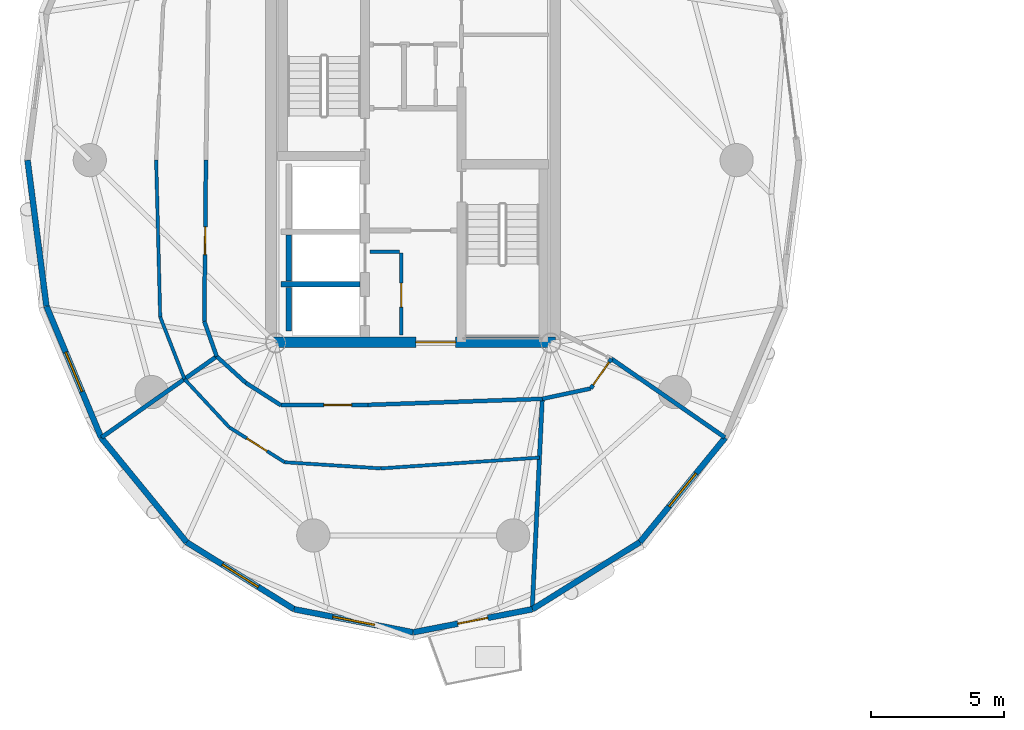
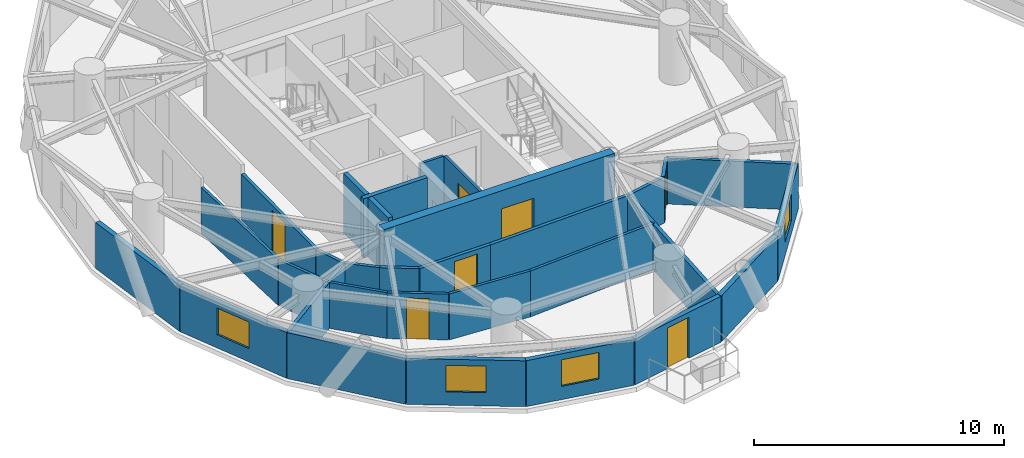
# One storey, part 8 of 17: 31 walls, 7 doors, 4 windows, 11 openings.
"""IFC4 building model written with IfcOpenShell, lengths in metres."""

from ifc_helpers import new_model, si_unit, direction, frame, frame_2d, origin, place, context, subcontext, project, spatial, rectangle, extrude, source, transform, mapped, material, layer, layer_set, type_object, element, fill, save


model = new_model("IFC4")

# Units and contexts
model_context = context("Model", 3, precision=1e-05, world=origin(), true_north=direction((0.0, 1.0)))
body_context = subcontext(model_context, "Body", "Model", "MODEL_VIEW")
ifc_project = project(units=[si_unit("LENGTHUNIT", "METRE"), si_unit("AREAUNIT", "SQUARE_METRE"), si_unit("VOLUMEUNIT", "CUBIC_METRE"), si_unit("PLANEANGLEUNIT", "RADIAN"), si_unit("MASSUNIT", "GRAM", prefix="KILO")], contexts=[model_context])

# Site, building, storey
site_placement = place(None, origin())
site = spatial("IfcSite", under=ifc_project, at=site_placement, CompositionType="ELEMENT")
building_placement = place(site_placement, origin())
building = spatial("IfcBuilding", under=site, at=building_placement, Name="Cununo Teusaquillo Station Towers", CompositionType="ELEMENT")
storey_placement = place(building_placement, frame((0.0, 0.0, 163.239990234375)))
storey = spatial("IfcBuildingStorey", under=building, at=storey_placement, Name="L51", CompositionType="ELEMENT", Elevation=163.239990234375)

# Walls
ifc_material_1 = material(Name="Concrete C50/60", Category="concrete")
ifc_layer_1 = layer(ifc_material_1, 0.199951171875)
ifc_layer_set_1 = layer_set([ifc_layer_1], Name="Concrete C50/60")
wall_type_1 = type_object("IfcWallType", Name="WL-CORE-200", PredefinedType="SHEAR", material=ifc_layer_set_1)
wall_1_placement = place(storey_placement, frame((11.52001953125, 19.824951171875, 0.0), z_axis=(0.0, 0.0, 1.0), x_axis=(1.0, 0.0, 0.0)))
element("IfcWall", 1, at=wall_1_placement, inside=storey, type_object=wall_type_1, Name="L51 Tower A High-Rise Lift Hoistway Divider Shear Wall", PredefinedType="SHEAR", context=body_context, shape_type="SweptSolid", body=[
    extrude(rectangle(XDim=2.969970703125, YDim=0.199951171875, at=frame_2d((1.48486328125, 0.0))), origin(), (0.0, 0.0, 1.0), 2.909912109375),
])
wall_2_placement = place(storey_placement, frame((11.820068359375, 19.945068359375, 0.0), z_axis=(0.0, 0.0, 1.0), x_axis=(0.0, 1.0, 0.0)))
element("IfcWall", 2, at=wall_2_placement, inside=storey, type_object=wall_type_1, Name="L51 Tower A High-Rise Lift 2 Shaft Rear Shear Wall", PredefinedType="SHEAR", context=body_context, shape_type="SweptSolid", body=[
    extrude(rectangle(XDim=1.73486328125, YDim=0.199951171875, at=frame_2d((0.867431640625, 0.0))), origin(), (0.0, 0.0, 1.0), 2.909912109375),
])
wall_3_placement = place(storey_placement, frame((11.820068359375, 18.070068359375, 0.0), z_axis=(0.0, 0.0, 1.0), x_axis=(0.0, 1.0, 0.0)))
element("IfcWall", 3, at=wall_3_placement, inside=storey, type_object=wall_type_1, Name="L51 Tower A High-Rise Lift 1 Shaft Rear Shear Wall", PredefinedType="SHEAR", context=body_context, shape_type="SweptSolid", body=[
    extrude(rectangle(XDim=1.635009765625, YDim=0.199951171875, at=frame_2d((0.8173828125, 0.0))), origin(), (0.0, 0.0, 1.0), 2.909912109375),
])

# Wall, opening, door
ifc_material_2 = material(Name="Concrete C50/60", Category="concrete")
ifc_layer_2 = layer(ifc_material_2, 0.39990234375)
ifc_layer_set_2 = layer_set([ifc_layer_2], Name="Concrete C50/60")
wall_type_2 = type_object("IfcWallType", Name="WL-CORE-400", PredefinedType="SHEAR", material=ifc_layer_set_2)
wall_4_placement = place(storey_placement, frame((11.14990234375, 17.64990234375, 0.0), z_axis=(0.0, 0.0, 1.0), x_axis=(1.0, 0.0, 0.0)))
wall_4 = element("IfcWall", 4, at=wall_4_placement, inside=storey, type_object=wall_type_2, Name="L51 Tower A Core Shear Wall S", PredefinedType="SHEAR", context=body_context, shape_type="SweptSolid", body=[
    extrude(rectangle(XDim=10.7001953125, YDim=0.39990234375, at=frame_2d((5.35009765625, 0.0))), origin(), (0.0, 0.0, 1.0), 2.909912109375),
])
shared_shape_1 = source(origin(), body_context, "Body", "SweptSolid", [
    extrude(rectangle(XDim=1.5, YDim=2.02001953125, at=frame_2d((0.75, 1.010009765625))), frame((0.0, 0.2099609375, 0.0), z_axis=(0.0, -1.0, 0.0), x_axis=(1.0, 0.0, 0.0)), (0.0, 0.0, 1.0), 0.419921875),
])
opening_1_placement = place(wall_4_placement, frame((5.449951171875, 0.0, 0.0)))
opening_1 = element("IfcOpeningElement", 5, at=opening_1_placement, cuts=wall_4, Name="Opening D-LB1", PredefinedType="OPENING", context=body_context, shape_type="MappedRepresentation", body=[
    mapped(shared_shape_1, transform((0.0, 0.0, 0.0), x_axis=(1.0, 0.0, 0.0), y_axis=(0.0, 1.0, 0.0), z_axis=(0.0, 0.0, 1.0), scale=1.0)),
])
ifc_material_3 = material(Name="Galvanised fire-rated hollow steel door assembly", Category="steel")
door_type_1 = type_object("IfcDoorType", Name="DR-LOBBY-1500", OperationType="DOUBLE_DOOR_SINGLE_SWING", PredefinedType="DOOR", material=ifc_material_3)
shared_shape_2 = source(origin(), body_context, "Body", "SweptSolid", [
    extrude(rectangle(XDim=1.5, YDim=2.02001953125, at=frame_2d((0.75, 1.010009765625))), frame((0.0, 0.02490234375, 0.0), z_axis=(0.0, -1.0, 0.0), x_axis=(1.0, 0.0, 0.0)), (0.0, 0.0, 1.0), 0.050048828125),
])
door_1_placement = place(opening_1_placement, origin())
door_1 = element("IfcDoor", 6, at=door_1_placement, inside=storey, type_object=door_type_1, Name="L51 Tower A South Core Lift Lobby Door", OperationType="DOUBLE_DOOR_SINGLE_SWING", OverallHeight=2.02001953125, OverallWidth=1.5, PredefinedType="DOOR", context=body_context, shape_type="MappedRepresentation", body=[
    mapped(shared_shape_2, transform((0.0, 0.0, 0.0), x_axis=(1.0, 0.0, 0.0), y_axis=(0.0, 1.0, 0.0), z_axis=(0.0, 0.0, 1.0), scale=1.0)),
])
fill(opening_1, door_1)

# Wall
ifc_material_4 = material(Name="Precast concrete C40/50", Category="concrete")
ifc_layer_3 = layer(ifc_material_4, 0.219970703125)
ifc_layer_set_3 = layer_set([ifc_layer_3], Name="Precast concrete C40/50")
wall_type_3 = type_object("IfcWallType", Name="WL-EXT-220", PredefinedType="SOLIDWALL", material=ifc_layer_set_3)
wall_5_placement = place(storey_placement, frame((2.6953125, 19.0087890625, 0.0), z_axis=(0.0, 0.0, 1.0), x_axis=(-0.128266533912, 0.991739732126, 0.0)))
element("IfcWall", 7, at=wall_5_placement, inside=storey, type_object=wall_type_3, Name="L51 Tower A Exterior Facade Wall C10", PredefinedType="SOLIDWALL", context=body_context, shape_type="SweptSolid", body=[
    extrude(rectangle(XDim=5.536865234375, YDim=0.219970703125, at=frame_2d((2.7685546875, 0.0))), origin(), (0.0, 0.0, 1.0), 2.2451171875),
])

# Wall, opening, window
wall_6_placement = place(storey_placement, frame((4.757080078125, 14.05517578125, 0.0), z_axis=(0.0, 0.0, 1.0), x_axis=(-0.384259959969, 0.923224936386, 0.0)))
wall_6 = element("IfcWall", 8, at=wall_6_placement, inside=storey, type_object=wall_type_3, Name="L51 Tower A Exterior Facade Wall C11", PredefinedType="SOLIDWALL", context=body_context, shape_type="SweptSolid", body=[
    extrude(rectangle(XDim=5.365478515625, YDim=0.219970703125, at=frame_2d((2.6826171875, 0.0))), origin(), (0.0, 0.0, 1.0), 2.2451171875),
])
shared_shape_3 = source(origin(), body_context, "Body", "SweptSolid", [
    extrude(rectangle(XDim=1.60009765625, YDim=1.300048828125, at=frame_2d((0.800048828125, 0.64990234375))), frame((0.0, 0.119873046875, 0.0), z_axis=(0.0, -1.0, 0.0), x_axis=(1.0, 0.0, 0.0)), (0.0, 0.0, 1.0), 0.239990234375),
])
opening_2_placement = place(wall_6_placement, frame((1.883056640625, 0.0, 0.64990234375)))
opening_2 = element("IfcOpeningElement", 9, at=opening_2_placement, cuts=wall_6, Name="Opening WN-03", PredefinedType="OPENING", context=body_context, shape_type="MappedRepresentation", body=[
    mapped(shared_shape_3, transform((0.0, 0.0, 0.0), x_axis=(1.0, 0.0, 0.0), y_axis=(0.0, 1.0, 0.0), z_axis=(0.0, 0.0, 1.0), scale=1.0)),
])
ifc_material_5 = material(Name="Ceramic-fritted dark low-E double glazing", Category="glass")
window_type = type_object("IfcWindowType", Name="WIN-CORN-1600", PartitioningType="SINGLE_PANEL", PredefinedType="WINDOW", material=ifc_material_5)
shared_shape_4 = source(origin(), body_context, "Body", "SweptSolid", [
    extrude(rectangle(XDim=1.60009765625, YDim=1.300048828125, at=frame_2d((0.800048828125, 0.64990234375))), frame((0.0, 0.030029296875, 0.0), z_axis=(0.0, -1.0, 0.0), x_axis=(1.0, 0.0, 0.0)), (0.0, 0.0, 1.0), 0.06005859375),
])
window_1_placement = place(opening_2_placement, origin())
window_1 = element("IfcWindow", 10, at=window_1_placement, inside=storey, type_object=window_type, Name="L51 Tower A Facade Window C11", OverallHeight=1.300048828125, OverallWidth=1.60009765625, PartitioningType="SINGLE_PANEL", PredefinedType="WINDOW", context=body_context, shape_type="MappedRepresentation", body=[
    mapped(shared_shape_4, transform((0.0, 0.0, 0.0), x_axis=(1.0, 0.0, 0.0), y_axis=(0.0, 1.0, 0.0), z_axis=(0.0, 0.0, 1.0), scale=1.0)),
])
fill(opening_2, window_1)

# Wall
wall_7_placement = place(storey_placement, frame((7.96826171875, 10.123779296875, 0.0), z_axis=(0.0, 0.0, 1.0), x_axis=(-0.632598524901, 0.774479894053, 0.0)))
element("IfcWall", 11, at=wall_7_placement, inside=storey, type_object=wall_type_3, Name="L51 Tower A Exterior Facade Wall C12", PredefinedType="SOLIDWALL", context=body_context, shape_type="SweptSolid", body=[
    extrude(rectangle(XDim=5.076171875, YDim=0.219970703125, at=frame_2d((2.5380859375, 0.0))), origin(), (0.0, 0.0, 1.0), 2.2451171875),
])

# Wall, opening, window
wall_8_placement = place(storey_placement, frame((12.0146484375, 7.599609375, 0.0), z_axis=(0.0, 0.0, 1.0), x_axis=(-0.848452391194, 0.529271707044, 0.0)))
wall_8 = element("IfcWall", 12, at=wall_8_placement, inside=storey, type_object=wall_type_3, Name="L51 Tower A Exterior Facade Wall C13", PredefinedType="SOLIDWALL", context=body_context, shape_type="SweptSolid", body=[
    extrude(rectangle(XDim=4.76904296875, YDim=0.219970703125, at=frame_2d((2.384521484375, 0.0))), origin(), (0.0, 0.0, 1.0), 2.2451171875),
])
opening_3_placement = place(wall_8_placement, frame((1.5849609375, 0.0, 0.64990234375)))
opening_3 = element("IfcOpeningElement", 13, at=opening_3_placement, cuts=wall_8, Name="Opening WN-03", PredefinedType="OPENING", context=body_context, shape_type="MappedRepresentation", body=[
    mapped(shared_shape_3, transform((0.0, 0.0, 0.0), x_axis=(1.0, 0.0, 0.0), y_axis=(0.0, 1.0, 0.0), z_axis=(0.0, 0.0, 1.0), scale=1.0)),
])
window_2_placement = place(opening_3_placement, origin())
window_2 = element("IfcWindow", 14, at=window_2_placement, inside=storey, type_object=window_type, Name="L51 Tower A Facade Window C13", OverallHeight=1.300048828125, OverallWidth=1.60009765625, PartitioningType="SINGLE_PANEL", PredefinedType="WINDOW", context=body_context, shape_type="MappedRepresentation", body=[
    mapped(shared_shape_4, transform((0.0, 0.0, 0.0), x_axis=(1.0, 0.0, 0.0), y_axis=(0.0, 1.0, 0.0), z_axis=(0.0, 0.0, 1.0), scale=1.0)),
])
fill(opening_3, window_2)

wall_9_placement = place(storey_placement, frame((16.5, 6.72998046875, 0.0), z_axis=(0.0, 0.0, 1.0), x_axis=(-0.981718699963, 0.190337579429, 0.0)))
wall_9 = element("IfcWall", 15, at=wall_9_placement, inside=storey, type_object=wall_type_3, Name="L51 Tower A Exterior Facade Wall C14", PredefinedType="SOLIDWALL", context=body_context, shape_type="SweptSolid", body=[
    extrude(rectangle(XDim=4.56884765625, YDim=0.219970703125, at=frame_2d((2.284423828125, 0.0))), origin(), (0.0, 0.0, 1.0), 2.2451171875),
])
opening_4_placement = place(wall_9_placement, frame((1.48388671875, 0.0, 0.64990234375)))
opening_4 = element("IfcOpeningElement", 16, at=opening_4_placement, cuts=wall_9, Name="Opening WN-03", PredefinedType="OPENING", context=body_context, shape_type="MappedRepresentation", body=[
    mapped(shared_shape_3, transform((0.0, 0.0, 0.0), x_axis=(1.0, 0.0, 0.0), y_axis=(0.0, 1.0, 0.0), z_axis=(0.0, 0.0, 1.0), scale=1.0)),
])
window_3_placement = place(opening_4_placement, origin())
window_3 = element("IfcWindow", 17, at=window_3_placement, inside=storey, type_object=window_type, Name="L51 Tower A Facade Window C14", OverallHeight=1.300048828125, OverallWidth=1.60009765625, PartitioningType="SINGLE_PANEL", PredefinedType="WINDOW", context=body_context, shape_type="MappedRepresentation", body=[
    mapped(shared_shape_4, transform((0.0, 0.0, 0.0), x_axis=(1.0, 0.0, 0.0), y_axis=(0.0, 1.0, 0.0), z_axis=(0.0, 0.0, 1.0), scale=1.0)),
])
fill(opening_4, window_3)

# Wall, opening, door
wall_10_placement = place(storey_placement, frame((20.9853515625, 7.599609375, 0.0), z_axis=(0.0, 0.0, 1.0), x_axis=(-0.981718699963, -0.190337579429, 0.0)))
wall_10 = element("IfcWall", 18, at=wall_10_placement, inside=storey, type_object=wall_type_3, Name="L51 Tower A Exterior Facade Wall C15", PredefinedType="SOLIDWALL", context=body_context, shape_type="SweptSolid", body=[
    extrude(rectangle(XDim=4.56884765625, YDim=0.219970703125, at=frame_2d((2.284423828125, 0.0))), origin(), (0.0, 0.0, 1.0), 2.2451171875),
])
shared_shape_5 = source(origin(), body_context, "Body", "SweptSolid", [
    extrude(rectangle(XDim=1.14990234375, YDim=2.0048828125, at=frame_2d((0.574951171875, 1.00244140625))), frame((0.0, 0.119873046875, 0.0), z_axis=(0.0, -1.0, 0.0), x_axis=(1.0, 0.0, 0.0)), (0.0, 0.0, 1.0), 0.239990234375),
])
opening_5_placement = place(wall_10_placement, frame((1.708984375, 0.0, 0.0)))
opening_5 = element("IfcOpeningElement", 19, at=opening_5_placement, cuts=wall_10, Name="Opening ED-03", PredefinedType="OPENING", context=body_context, shape_type="MappedRepresentation", body=[
    mapped(shared_shape_5, transform((0.0, 0.0, 0.0), x_axis=(1.0, 0.0, 0.0), y_axis=(0.0, 1.0, 0.0), z_axis=(0.0, 0.0, 1.0), scale=1.0)),
])
ifc_material_6 = material(Name="Anodised dark bronze aluminium EN AW-6063-T6", Category="aluminium")
door_type_2 = type_object("IfcDoorType", Name="DR-EXT-BAL", OperationType="NOTDEFINED", PredefinedType="DOOR", material=ifc_material_6)
shared_shape_6 = source(origin(), body_context, "Body", "SweptSolid", [
    extrude(rectangle(XDim=1.14990234375, YDim=2.0048828125, at=frame_2d((0.574951171875, 1.00244140625))), frame((0.0, 0.02490234375, 0.0), z_axis=(0.0, -1.0, 0.0), x_axis=(1.0, 0.0, 0.0)), (0.0, 0.0, 1.0), 0.050048828125),
])
door_2_placement = place(opening_5_placement, origin())
door_2 = element("IfcDoor", 20, at=door_2_placement, inside=storey, type_object=door_type_2, Name="L51 Tower A Tree Balcony Door C15", OperationType="SINGLE_SWING_LEFT", OverallHeight=2.0048828125, OverallWidth=1.14990234375, PredefinedType="DOOR", context=body_context, shape_type="MappedRepresentation", body=[
    mapped(shared_shape_6, transform((0.0, 0.0, 0.0), x_axis=(1.0, 0.0, 0.0), y_axis=(0.0, 1.0, 0.0), z_axis=(0.0, 0.0, 1.0), scale=1.0)),
])
fill(opening_5, door_2)

# Wall
wall_11_placement = place(storey_placement, frame((25.03173828125, 10.123779296875, 0.0), z_axis=(0.0, 0.0, 1.0), x_axis=(-0.848452391194, -0.529271707044, 0.0)))
element("IfcWall", 21, at=wall_11_placement, inside=storey, type_object=wall_type_3, Name="L51 Tower A Exterior Facade Wall C16", PredefinedType="SOLIDWALL", context=body_context, shape_type="SweptSolid", body=[
    extrude(rectangle(XDim=4.76904296875, YDim=0.219970703125, at=frame_2d((2.384521484375, 0.0))), origin(), (0.0, 0.0, 1.0), 2.2451171875),
])

# Wall, opening, window
wall_12_placement = place(storey_placement, frame((28.242919921875, 14.05517578125, 0.0), z_axis=(0.0, 0.0, 1.0), x_axis=(-0.632598524901, -0.774479894053, 0.0)))
wall_12 = element("IfcWall", 22, at=wall_12_placement, inside=storey, type_object=wall_type_3, Name="L51 Tower A Exterior Facade Wall C17", PredefinedType="SOLIDWALL", context=body_context, shape_type="SweptSolid", body=[
    extrude(rectangle(XDim=5.076171875, YDim=0.219970703125, at=frame_2d((2.5380859375, 0.0))), origin(), (0.0, 0.0, 1.0), 2.2451171875),
])
opening_6_placement = place(wall_12_placement, frame((1.738037109375, 0.0, 0.64990234375)))
opening_6 = element("IfcOpeningElement", 23, at=opening_6_placement, cuts=wall_12, Name="Opening WN-03", PredefinedType="OPENING", context=body_context, shape_type="MappedRepresentation", body=[
    mapped(shared_shape_3, transform((0.0, 0.0, 0.0), x_axis=(1.0, 0.0, 0.0), y_axis=(0.0, 1.0, 0.0), z_axis=(0.0, 0.0, 1.0), scale=1.0)),
])
window_4_placement = place(opening_6_placement, origin())
window_4 = element("IfcWindow", 24, at=window_4_placement, inside=storey, type_object=window_type, Name="L51 Tower A Facade Window C17", OverallHeight=1.300048828125, OverallWidth=1.60009765625, PartitioningType="SINGLE_PANEL", PredefinedType="WINDOW", context=body_context, shape_type="MappedRepresentation", body=[
    mapped(shared_shape_4, transform((0.0, 0.0, 0.0), x_axis=(1.0, 0.0, 0.0), y_axis=(0.0, 1.0, 0.0), z_axis=(0.0, 0.0, 1.0), scale=1.0)),
])
fill(opening_6, window_4)

# Wall, opening, door
ifc_material_7 = material(Name="Fire-rated gypsum plasterboard partition assembly", Category="gypsum")
ifc_layer_4 = layer(ifc_material_7, 0.125)
ifc_layer_set_4 = layer_set([ifc_layer_4], Name="Fire-rated gypsum plasterboard partition assembly")
wall_type_4 = type_object("IfcWallType", Name="WL-PART-125", PredefinedType="PARTITIONING", material=ifc_layer_set_4)
wall_13_placement = place(storey_placement, frame((16.050048828125, 17.919921875, 0.0), z_axis=(0.0, 0.0, 1.0), x_axis=(0.0, 1.0, 0.0)))
wall_13 = element("IfcWall", 25, at=wall_13_placement, inside=storey, type_object=wall_type_4, Name="L51 Tower A South-West Tall Store East Wall", PredefinedType="PARTITIONING", context=body_context, shape_type="SweptSolid", body=[
    extrude(rectangle(XDim=3.080078125, YDim=0.125, at=frame_2d((1.5400390625, 0.0))), origin(), (0.0, 0.0, 1.0), 2.675048828125),
])
shared_shape_7 = source(origin(), body_context, "Body", "SweptSolid", [
    extrude(rectangle(XDim=0.89990234375, YDim=2.0048828125, at=frame_2d((0.449951171875, 1.00244140625))), frame((0.0, 0.072509765625, 0.0), z_axis=(0.0, -1.0, 0.0), x_axis=(1.0, 0.0, 0.0)), (0.0, 0.0, 1.0), 0.14501953125),
])
opening_7_placement = place(wall_13_placement, frame((1.050048828125, 0.0, 0.0)))
opening_7 = element("IfcOpeningElement", 26, at=opening_7_placement, cuts=wall_13, Name="Opening D-SR1", PredefinedType="OPENING", context=body_context, shape_type="MappedRepresentation", body=[
    mapped(shared_shape_7, transform((0.0, 0.0, 0.0), x_axis=(1.0, 0.0, 0.0), y_axis=(0.0, 1.0, 0.0), z_axis=(0.0, 0.0, 1.0), scale=1.0)),
])
ifc_material_8 = material(Name="Galvanised fire-rated hollow steel door assembly", Category="steel")
door_type_3 = type_object("IfcDoorType", Name="DR-STORE-900", OperationType="NOTDEFINED", PredefinedType="DOOR", material=ifc_material_8)
shared_shape_8 = source(origin(), body_context, "Body", "SweptSolid", [
    extrude(rectangle(XDim=0.89990234375, YDim=2.0048828125, at=frame_2d((0.449951171875, 1.00244140625))), frame((0.0, 0.02490234375, 0.0), z_axis=(0.0, -1.0, 0.0), x_axis=(1.0, 0.0, 0.0)), (0.0, 0.0, 1.0), 0.050048828125),
])
door_3_placement = place(opening_7_placement, origin())
door_3 = element("IfcDoor", 27, at=door_3_placement, inside=storey, type_object=door_type_3, Name="L51 Tower A South Cleaners Store Door", OperationType="SINGLE_SWING_RIGHT", OverallHeight=2.0048828125, OverallWidth=0.89990234375, PredefinedType="DOOR", context=body_context, shape_type="MappedRepresentation", body=[
    mapped(shared_shape_8, transform((0.0, 0.0, 0.0), x_axis=(1.0, 0.0, 0.0), y_axis=(0.0, 1.0, 0.0), z_axis=(0.0, 0.0, 1.0), scale=1.0)),
])
fill(opening_7, door_3)

# Walls
wall_14_placement = place(storey_placement, frame((14.8798828125, 21.050048828125, 0.0), z_axis=(0.0, 0.0, 1.0), x_axis=(1.0, 0.0, 0.0)))
element("IfcWall", 28, at=wall_14_placement, inside=storey, type_object=wall_type_4, Name="L51 Tower A South-West Tall Store North Wall", PredefinedType="PARTITIONING", context=body_context, shape_type="SweptSolid", body=[
    extrude(rectangle(XDim=1.10009765625, YDim=0.125, at=frame_2d((0.550048828125, 0.0))), origin(), (0.0, 0.0, 1.0), 2.675048828125),
])
wall_15_placement = place(storey_placement, frame((6.825439453125, 24.5, 0.0), z_axis=(0.0, 0.0, 1.0), x_axis=(0.025845586866, -0.999665947024, 0.0)))
element("IfcWall", 29, at=wall_15_placement, inside=storey, type_object=wall_type_4, Name="L51 Tower A Sabana Wellness & Spa Lounge Concentric Partition Wall C10", PredefinedType="PARTITIONING", context=body_context, shape_type="SweptSolid", body=[
    extrude(rectangle(XDim=5.90380859375, YDim=0.125, at=frame_2d((2.951904296875, 0.0))), origin(), (0.0, 0.0, 1.0), 2.2451171875),
])
wall_16_placement = place(storey_placement, frame((6.97802734375, 18.59814453125, 0.0), z_axis=(0.0, 0.0, 1.0), x_axis=(0.363845250376, -0.931459410698, 0.0)))
element("IfcWall", 30, at=wall_16_placement, inside=storey, type_object=wall_type_4, Name="L51 Tower A Sabana Wellness & Spa Lounge Concentric Partition Wall C11", PredefinedType="PARTITIONING", context=body_context, shape_type="SweptSolid", body=[
    extrude(rectangle(XDim=2.5087890625, YDim=0.125, at=frame_2d((1.25439453125, 0.0))), origin(), (0.0, 0.0, 1.0), 2.2451171875),
])
wall_17_placement = place(storey_placement, frame((7.890869140625, 16.26123046875, 0.0), z_axis=(0.0, 0.0, 1.0), x_axis=(0.680443535441, -0.7328005152, 0.0)))
element("IfcWall", 31, at=wall_17_placement, inside=storey, type_object=wall_type_4, Name="L51 Tower A Cordillera Executive Conference Salon Concentric Partition Wall C12", PredefinedType="PARTITIONING", context=body_context, shape_type="SweptSolid", body=[
    extrude(rectangle(XDim=2.47607421875, YDim=0.125, at=frame_2d((1.238037109375, 0.0))), origin(), (0.0, 0.0, 1.0), 2.2451171875),
])

# Wall, opening, door
wall_18_placement = place(storey_placement, frame((9.57568359375, 14.44677734375, 0.0), z_axis=(0.0, 0.0, 1.0), x_axis=(0.845905204383, -0.53333327779, 0.0)))
wall_18 = element("IfcWall", 32, at=wall_18_placement, inside=storey, type_object=wall_type_4, Name="L51 Tower A Cordillera Executive Conference Salon Concentric Partition Wall C13", PredefinedType="PARTITIONING", context=body_context, shape_type="SweptSolid", body=[
    extrude(rectangle(XDim=2.465087890625, YDim=0.125, at=frame_2d((1.232421875, 0.0))), origin(), (0.0, 0.0, 1.0), 2.2451171875),
])
opening_8_placement = place(wall_18_placement, frame((0.782470703125, 0.0, 0.0)))
opening_8 = element("IfcOpeningElement", 33, at=opening_8_placement, cuts=wall_18, Name="Opening D-IN1", PredefinedType="OPENING", context=body_context, shape_type="MappedRepresentation", body=[
    mapped(shared_shape_7, transform((0.0, 0.0, 0.0), x_axis=(1.0, 0.0, 0.0), y_axis=(0.0, 1.0, 0.0), z_axis=(0.0, 0.0, 1.0), scale=1.0)),
])
ifc_material_9 = material(Name="Acoustic solid-core hardwood leaf assembly", Category="wood")
door_type_4 = type_object("IfcDoorType", Name="DR-INT-900", OperationType="NOTDEFINED", PredefinedType="DOOR", material=ifc_material_9)
door_4_placement = place(opening_8_placement, origin())
door_4 = element("IfcDoor", 34, at=door_4_placement, inside=storey, type_object=door_type_4, Name="L51 Tower A Cordillera Executive Conference Salon Connecting Door", OperationType="SINGLE_SWING_LEFT", OverallHeight=2.0048828125, OverallWidth=0.89990234375, PredefinedType="DOOR", context=body_context, shape_type="MappedRepresentation", body=[
    mapped(shared_shape_8, transform((0.0, 0.0, 0.0), x_axis=(1.0, 0.0, 0.0), y_axis=(0.0, 1.0, 0.0), z_axis=(0.0, 0.0, 1.0), scale=1.0)),
])
fill(opening_8, door_4)

# Walls
wall_19_placement = place(storey_placement, frame((11.660888671875, 13.132080078125, 0.0), z_axis=(0.0, 0.0, 1.0), x_axis=(0.997932841329, -0.064265419915, 0.0)))
element("IfcWall", 35, at=wall_19_placement, inside=storey, type_object=wall_type_4, Name="L51 Tower A Cordillera Executive Conference Salon Concentric Partition Wall C14", PredefinedType="PARTITIONING", context=body_context, shape_type="SweptSolid", body=[
    extrude(rectangle(XDim=3.624267578125, YDim=0.125, at=frame_2d((1.81201171875, 0.0))), origin(), (0.0, 0.0, 1.0), 2.2451171875),
])
wall_20_placement = place(storey_placement, frame((15.277587890625, 12.899169921875, 0.0), z_axis=(0.0, 0.0, 1.0), x_axis=(0.997695501463, 0.067850470592, 0.0)))
element("IfcWall", 36, at=wall_20_placement, inside=storey, type_object=wall_type_4, Name="L51 Tower A Cordillera Executive Conference Salon Concentric Partition Wall C15", PredefinedType="PARTITIONING", context=body_context, shape_type="SweptSolid", body=[
    extrude(rectangle(XDim=5.987548828125, YDim=0.125, at=frame_2d((2.99365234375, 0.0))), origin(), (0.0, 0.0, 1.0), 2.2451171875),
])

# Wall, opening, door
ifc_material_10 = material(Name="Fire-rated gypsum plasterboard partition assembly", Category="gypsum")
ifc_layer_5 = layer(ifc_material_10, 0.14990234375)
ifc_layer_set_5 = layer_set([ifc_layer_5], Name="Fire-rated gypsum plasterboard partition assembly")
wall_type_5 = type_object("IfcWallType", Name="WL-PART-150", PredefinedType="PARTITIONING", material=ifc_layer_set_5)
wall_21_placement = place(storey_placement, frame((8.699951171875, 24.5, 0.0), z_axis=(0.0, 0.0, 1.0), x_axis=(-0.010507512335, -0.999944794568, 0.0)))
wall_21 = element("IfcWall", 37, at=wall_21_placement, inside=storey, type_object=wall_type_5, Name="L51 Tower A Corridor Ring Wall C10", PredefinedType="PARTITIONING", context=body_context, shape_type="SweptSolid", body=[
    extrude(rectangle(XDim=6.064208984375, YDim=0.14990234375, at=frame_2d((3.0322265625, 0.0))), origin(), (0.0, 0.0, 1.0), 2.2451171875),
])
shared_shape_9 = source(origin(), body_context, "Body", "SweptSolid", [
    extrude(rectangle(XDim=1.050048828125, YDim=2.014892578125, at=frame_2d((0.52490234375, 1.00732421875))), frame((0.0, 0.0849609375, 0.0), z_axis=(0.0, -1.0, 0.0), x_axis=(1.0, 0.0, 0.0)), (0.0, 0.0, 1.0), 0.169921875),
])
opening_9_placement = place(wall_21_placement, frame((2.507080078125, 0.0, 0.0)))
opening_9 = element("IfcOpeningElement", 38, at=opening_9_placement, cuts=wall_21, Name="Opening D-SU1", PredefinedType="OPENING", context=body_context, shape_type="MappedRepresentation", body=[
    mapped(shared_shape_9, transform((0.0, 0.0, 0.0), x_axis=(1.0, 0.0, 0.0), y_axis=(0.0, 1.0, 0.0), z_axis=(0.0, 0.0, 1.0), scale=1.0)),
])
ifc_material_11 = material(Name="Acoustic solid-core hardwood leaf assembly", Category="wood")
door_type_5 = type_object("IfcDoorType", Name="DR-SUITE-1050", OperationType="NOTDEFINED", PredefinedType="DOOR", material=ifc_material_11)
shared_shape_10 = source(origin(), body_context, "Body", "SweptSolid", [
    extrude(rectangle(XDim=1.050048828125, YDim=2.014892578125, at=frame_2d((0.52490234375, 1.00732421875))), frame((0.0, 0.02490234375, 0.0), z_axis=(0.0, -1.0, 0.0), x_axis=(1.0, 0.0, 0.0)), (0.0, 0.0, 1.0), 0.050048828125),
])
door_5_placement = place(opening_9_placement, origin())
door_5 = element("IfcDoor", 39, at=door_5_placement, inside=storey, type_object=door_type_5, Name="L51 Tower A Sabana Wellness & Spa Lounge Entrance Door", OperationType="SINGLE_SWING_RIGHT", OverallHeight=2.014892578125, OverallWidth=1.050048828125, PredefinedType="DOOR", context=body_context, shape_type="MappedRepresentation", body=[
    mapped(shared_shape_10, transform((0.0, 0.0, 0.0), x_axis=(1.0, 0.0, 0.0), y_axis=(0.0, 1.0, 0.0), z_axis=(0.0, 0.0, 1.0), scale=1.0)),
])
fill(opening_9, door_5)

# Walls
wall_22_placement = place(storey_placement, frame((8.63623046875, 18.43603515625, 0.0), z_axis=(0.0, 0.0, 1.0), x_axis=(0.333211866524, -0.942851977782, 0.0)))
element("IfcWall", 40, at=wall_22_placement, inside=storey, type_object=wall_type_5, Name="L51 Tower A Corridor Ring Wall C11", PredefinedType="PARTITIONING", context=body_context, shape_type="SweptSolid", body=[
    extrude(rectangle(XDim=1.401611328125, YDim=0.14990234375, at=frame_2d((0.70068359375, 0.0))), origin(), (0.0, 0.0, 1.0), 2.2451171875),
])
wall_23_placement = place(storey_placement, frame((9.103271484375, 17.114501953125, 0.0), z_axis=(0.0, 0.0, 1.0), x_axis=(0.740186897911, -0.672401186912, 0.0)))
element("IfcWall", 41, at=wall_23_placement, inside=storey, type_object=wall_type_5, Name="L51 Tower A Corridor Ring Wall C12", PredefinedType="PARTITIONING", context=body_context, shape_type="SweptSolid", body=[
    extrude(rectangle(XDim=1.4765625, YDim=0.14990234375, at=frame_2d((0.73828125, 0.0))), origin(), (0.0, 0.0, 1.0), 2.2451171875),
])
wall_24_placement = place(storey_placement, frame((10.1962890625, 16.12158203125, 0.0), z_axis=(0.0, 0.0, 1.0), x_axis=(0.843021142441, -0.537880426673, 0.0)))
element("IfcWall", 42, at=wall_24_placement, inside=storey, type_object=wall_type_5, Name="L51 Tower A Corridor Ring Wall C13", PredefinedType="PARTITIONING", context=body_context, shape_type="SweptSolid", body=[
    extrude(rectangle(XDim=1.5712890625, YDim=0.14990234375, at=frame_2d((0.78564453125, 0.0))), origin(), (0.0, 0.0, 1.0), 2.2451171875),
])

# Wall, opening, door
wall_25_placement = place(storey_placement, frame((11.52099609375, 15.2763671875, 0.0), z_axis=(0.0, 0.0, 1.0), x_axis=(0.999990688463, 0.004315436007, 0.0)))
wall_25 = element("IfcWall", 43, at=wall_25_placement, inside=storey, type_object=wall_type_5, Name="L51 Tower A Corridor Ring Wall C14", PredefinedType="PARTITIONING", context=body_context, shape_type="SweptSolid", body=[
    extrude(rectangle(XDim=3.28125, YDim=0.14990234375, at=frame_2d((1.640625, 0.0))), origin(), (0.0, 0.0, 1.0), 2.2451171875),
])
opening_10_placement = place(wall_25_placement, frame((1.61328125, 0.0, 0.0)))
opening_10 = element("IfcOpeningElement", 44, at=opening_10_placement, cuts=wall_25, Name="Opening D-SU1", PredefinedType="OPENING", context=body_context, shape_type="MappedRepresentation", body=[
    mapped(shared_shape_9, transform((0.0, 0.0, 0.0), x_axis=(1.0, 0.0, 0.0), y_axis=(0.0, 1.0, 0.0), z_axis=(0.0, 0.0, 1.0), scale=1.0)),
])
door_6_placement = place(opening_10_placement, origin())
door_6 = element("IfcDoor", 45, at=door_6_placement, inside=storey, type_object=door_type_5, Name="L51 Tower A Cordillera Executive Conference Salon Entrance Door", OperationType="SINGLE_SWING_RIGHT", OverallHeight=2.014892578125, OverallWidth=1.050048828125, PredefinedType="DOOR", context=body_context, shape_type="MappedRepresentation", body=[
    mapped(shared_shape_10, transform((0.0, 0.0, 0.0), x_axis=(1.0, 0.0, 0.0), y_axis=(0.0, 1.0, 0.0), z_axis=(0.0, 0.0, 1.0), scale=1.0)),
])
fill(opening_10, door_6)

# Walls
wall_26_placement = place(storey_placement, frame((14.80224609375, 15.29052734375, 0.0), z_axis=(0.0, 0.0, 1.0), x_axis=(0.999405778293, 0.034468686011, 0.0)))
element("IfcWall", 46, at=wall_26_placement, inside=storey, type_object=wall_type_5, Name="L51 Tower A Corridor Ring Wall C15", PredefinedType="PARTITIONING", context=body_context, shape_type="SweptSolid", body=[
    extrude(rectangle(XDim=6.558837890625, YDim=0.14990234375, at=frame_2d((3.279296875, 0.0))), origin(), (0.0, 0.0, 1.0), 2.2451171875),
])
wall_27_placement = place(storey_placement, frame((21.357177734375, 15.5166015625, 0.0), z_axis=(0.0, 0.0, 1.0), x_axis=(0.977773676035, 0.209663154733, 0.0)))
element("IfcWall", 47, at=wall_27_placement, inside=storey, type_object=wall_type_5, Name="L51 Tower A Corridor Ring Wall C16", PredefinedType="PARTITIONING", context=body_context, shape_type="SweptSolid", body=[
    extrude(rectangle(XDim=1.865478515625, YDim=0.14990234375, at=frame_2d((0.9326171875, 0.0))), origin(), (0.0, 0.0, 1.0), 2.2451171875),
])

# Wall, opening, door
wall_28_placement = place(storey_placement, frame((23.18115234375, 15.90771484375, 0.0), z_axis=(0.0, 0.0, 1.0), x_axis=(0.571342842249, 0.820711494138, 0.0)))
wall_28 = element("IfcWall", 48, at=wall_28_placement, inside=storey, type_object=wall_type_5, Name="L51 Tower A Corridor Ring Wall C17", PredefinedType="PARTITIONING", context=body_context, shape_type="SweptSolid", body=[
    extrude(rectangle(XDim=1.36181640625, YDim=0.14990234375, at=frame_2d((0.680908203125, 0.0))), origin(), (0.0, 0.0, 1.0), 2.2451171875),
])
opening_11_placement = place(wall_28_placement, frame((0.156005859375, 0.0, 0.0)))
opening_11 = element("IfcOpeningElement", 49, at=opening_11_placement, cuts=wall_28, Name="Opening D-SU1", PredefinedType="OPENING", context=body_context, shape_type="MappedRepresentation", body=[
    mapped(shared_shape_9, transform((0.0, 0.0, 0.0), x_axis=(1.0, 0.0, 0.0), y_axis=(0.0, 1.0, 0.0), z_axis=(0.0, 0.0, 1.0), scale=1.0)),
])
door_7_placement = place(opening_11_placement, origin())
door_7 = element("IfcDoor", 50, at=door_7_placement, inside=storey, type_object=door_type_5, Name="L51 Tower A Hotel Housekeeping & Linen Pantry Entrance Door", OperationType="SINGLE_SWING_RIGHT", OverallHeight=2.014892578125, OverallWidth=1.050048828125, PredefinedType="DOOR", context=body_context, shape_type="MappedRepresentation", body=[
    mapped(shared_shape_10, transform((0.0, 0.0, 0.0), x_axis=(1.0, 0.0, 0.0), y_axis=(0.0, 1.0, 0.0), z_axis=(0.0, 0.0, 1.0), scale=1.0)),
])
fill(opening_11, door_7)

# Walls
ifc_material_12 = material(Name="Fire-rated gypsum plasterboard partition assembly", Category="gypsum")
ifc_layer_6 = layer(ifc_material_12, 0.159912109375)
ifc_layer_set_6 = layer_set([ifc_layer_6], Name="Fire-rated gypsum plasterboard partition assembly")
wall_type_6 = type_object("IfcWallType", Name="WL-PART-160", PredefinedType="PARTITIONING", material=ifc_layer_set_6)
wall_29_placement = place(storey_placement, frame((9.103271484375, 17.114501953125, 0.0), z_axis=(0.0, 0.0, 1.0), x_axis=(-0.817760605426, -0.575558504597, 0.0)))
element("IfcWall", 51, at=wall_29_placement, inside=storey, type_object=wall_type_6, Name="L51 Tower A Radial Suite Partition R04", PredefinedType="PARTITIONING", context=body_context, shape_type="SweptSolid", body=[
    extrude(rectangle(XDim=5.294921875, YDim=0.159912109375, at=frame_2d((2.6474609375, 0.0))), origin(), (0.0, 0.0, 1.0), 2.2451171875),
])
wall_30_placement = place(storey_placement, frame((21.357177734375, 15.5166015625, 0.0), z_axis=(0.0, 0.0, 1.0), x_axis=(-0.047796931987, -0.998857073506, 0.0)))
element("IfcWall", 52, at=wall_30_placement, inside=storey, type_object=wall_type_6, Name="L51 Tower A Radial Suite Partition R05", PredefinedType="PARTITIONING", context=body_context, shape_type="SweptSolid", body=[
    extrude(rectangle(XDim=7.906982421875, YDim=0.159912109375, at=frame_2d((3.95361328125, 0.0))), origin(), (0.0, 0.0, 1.0), 2.2451171875),
])
wall_31_placement = place(storey_placement, frame((23.959228515625, 17.025390625, 0.0), z_axis=(0.0, 0.0, 1.0), x_axis=(0.821829818265, -0.569733051358, 0.0)))
element("IfcWall", 53, at=wall_31_placement, inside=storey, type_object=wall_type_6, Name="L51 Tower A Radial Suite Partition R06", PredefinedType="PARTITIONING", context=body_context, shape_type="SweptSolid", body=[
    extrude(rectangle(XDim=5.19287109375, YDim=0.159912109375, at=frame_2d((2.596435546875, 0.0))), origin(), (0.0, 0.0, 1.0), 2.2451171875),
])

save(model, "model.ifc")
